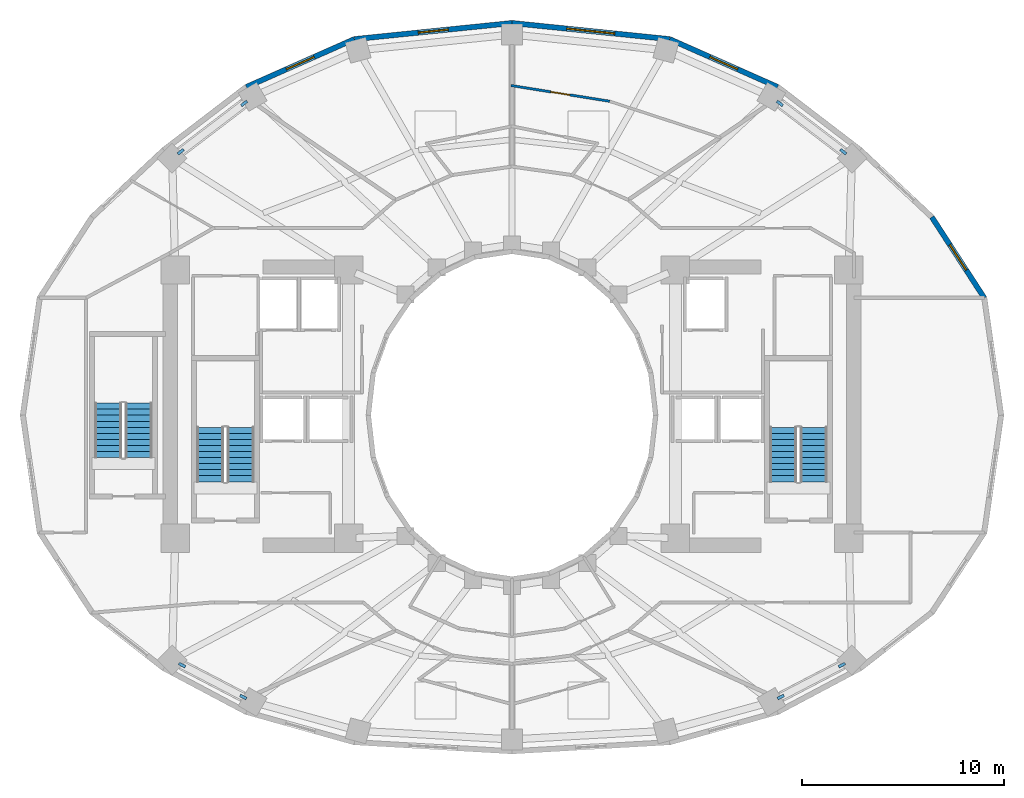
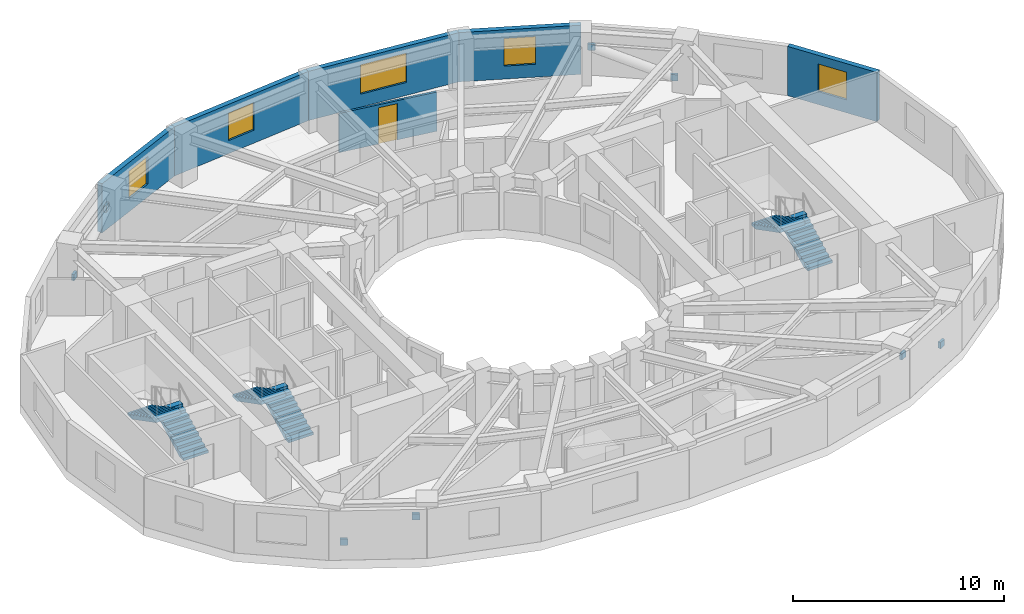
# One storey, part 7 of 9: 8 discrete accessories, 6 stair flights, 6 walls, 5 windows, 1 door, 6 openings, 3 elements without a shape of their own.
"""IFC4 building model written with IfcOpenShell, lengths in metres."""

from ifc_helpers import new_model, si_unit, direction, frame, frame_2d, origin, origin_2d, place, context, subcontext, project, spatial, polyline, rectangle, outline, extrude, material, layer, layer_set, type_object, element, fill, aggregate, save


model = new_model("IFC4")

# Units and contexts
model_context = context("Model", 3, precision=1e-05, world=origin(), true_north=direction((0.0, 1.0)))
body_context = subcontext(model_context, "Body", "Model", "MODEL_VIEW")
ifc_project = project(units=[si_unit("LENGTHUNIT", "METRE"), si_unit("AREAUNIT", "SQUARE_METRE"), si_unit("VOLUMEUNIT", "CUBIC_METRE"), si_unit("PLANEANGLEUNIT", "RADIAN"), si_unit("MASSUNIT", "GRAM", prefix="KILO")], contexts=[model_context])

# Site, building, storey
site_placement = place(None, origin())
site = spatial("IfcSite", under=ifc_project, at=site_placement, CompositionType="ELEMENT")
building_placement = place(site_placement, origin())
building = spatial("IfcBuilding", under=site, at=building_placement, Name="Solvane Sanctuary Tower", CompositionType="ELEMENT")
storey_placement = place(building_placement, frame((0.0, 0.0, 113.5)))
storey = spatial("IfcBuildingStorey", under=building, at=storey_placement, Name="L34", CompositionType="ELEMENT", Elevation=113.5)

# Wall, opening, window
ifc_material_1 = material(Name="Precast concrete C40/50", Category="concrete")
ifc_layer_1 = layer(ifc_material_1, 0.260009765625, Name="Precast concrete C40/50")
ifc_layer_set_1 = layer_set([ifc_layer_1], Name="Precast concrete C40/50")
wall_type_1 = type_object("IfcWallType", Name="Wall W-EXT-250", PredefinedType="STANDARD", material=ifc_layer_set_1)
wall_1_placement = place(storey_placement, frame((55.421875, 28.818603515625, 0.0), z_axis=(0.0, 0.0, 1.0), x_axis=(-0.544388392991, 0.838833283541, 0.0)))
wall_1 = element("IfcWall", 1, at=wall_1_placement, inside=storey, type_object=wall_type_1, Name="L34 Ceramic-Printed Facade Wall 01", PredefinedType="STANDARD", context=body_context, shape_type="SweptSolid", body=[
    extrude(rectangle(XDim=4.7783203125, YDim=0.260009765625, at=frame_2d((2.38916015625, 0.0))), origin(), (0.0, 0.0, 1.0), 2.85009765625),
])
opening_1_placement = place(wall_1_placement, frame((1.63916015625, 0.0, 0.75)))
opening_1 = element("IfcOpeningElement", 2, at=opening_1_placement, cuts=wall_1, Name="Opening WN-OPER-1500", PredefinedType="OPENING", context=body_context, shape_type="SweptSolid", body=[
    extrude(rectangle(XDim=1.5, YDim=1.60009765625, at=frame_2d((0.75, 0.800048828125))), frame((0.0, 0.139892578125, 0.0), z_axis=(0.0, -1.0, 0.0), x_axis=(1.0, 0.0, 0.0)), (0.0, 0.0, 1.0), 0.280029296875),
])
ifc_material_2 = material(Name="Dark Ceramic-Fritted Low-E Glass", Category="glass")
window_type_1 = type_object("IfcWindowType", Name="Window WN-OPER-1500", PartitioningType="SINGLE_PANEL", PredefinedType="WINDOW", material=ifc_material_2)
window_1_placement = place(opening_1_placement, origin())
window_1 = element("IfcWindow", 3, at=window_1_placement, inside=storey, type_object=window_type_1, Name="L34 Operable Facade Window 01", OverallHeight=1.60009765625, OverallWidth=1.5, PartitioningType="SINGLE_PANEL", PredefinedType="WINDOW", context=body_context, shape_type="SweptSolid", body=[
    extrude(rectangle(XDim=1.5, YDim=1.60009765625, at=frame_2d((0.75, 0.800048828125))), frame((0.0, 0.030029296875, 0.0), z_axis=(0.0, -1.0, 0.0), x_axis=(1.0, 0.0, 0.0)), (0.0, 0.0, 1.0), 0.06005859375),
])
fill(opening_1, window_1)

wall_2_placement = place(storey_placement, frame((45.17333984375, 39.278076171875, 0.0), z_axis=(0.0, 0.0, 1.0), x_axis=(-0.914336605747, 0.404955023911, 0.0)))
wall_2 = element("IfcWall", 4, at=wall_2_placement, inside=storey, type_object=wall_type_1, Name="L34 Ceramic-Printed Facade Wall 04", PredefinedType="STANDARD", context=body_context, shape_type="SweptSolid", body=[
    extrude(rectangle(XDim=5.85888671875, YDim=0.260009765625, at=frame_2d((2.929443359375, 0.0))), origin(), (0.0, 0.0, 1.0), 2.85009765625),
])
opening_2_placement = place(wall_2_placement, frame((2.179443359375, 0.0, 0.75)))
opening_2 = element("IfcOpeningElement", 5, at=opening_2_placement, cuts=wall_2, Name="Opening WN-OPER-1500", PredefinedType="OPENING", context=body_context, shape_type="SweptSolid", body=[
    extrude(rectangle(XDim=1.5, YDim=1.60009765625, at=frame_2d((0.75, 0.800048828125))), frame((0.0, 0.139892578125, 0.0), z_axis=(0.0, -1.0, 0.0), x_axis=(1.0, 0.0, 0.0)), (0.0, 0.0, 1.0), 0.280029296875),
])
window_2_placement = place(opening_2_placement, origin())
window_2 = element("IfcWindow", 6, at=window_2_placement, inside=storey, type_object=window_type_1, Name="L34 Operable Facade Window 04", OverallHeight=1.60009765625, OverallWidth=1.5, PartitioningType="SINGLE_PANEL", PredefinedType="WINDOW", context=body_context, shape_type="SweptSolid", body=[
    extrude(rectangle(XDim=1.5, YDim=1.60009765625, at=frame_2d((0.75, 0.800048828125))), frame((0.0, 0.030029296875, 0.0), z_axis=(0.0, -1.0, 0.0), x_axis=(1.0, 0.0, 0.0)), (0.0, 0.0, 1.0), 0.06005859375),
])
fill(opening_2, window_2)

wall_3_placement = place(storey_placement, frame((39.81640625, 41.650634765625, 0.0), z_axis=(0.0, 0.0, 1.0), x_axis=(-0.994821390558, 0.101638579726, 0.0)))
wall_3 = element("IfcWall", 7, at=wall_3_placement, inside=storey, type_object=wall_type_1, Name="L34 Ceramic-Printed Facade Wall 05", PredefinedType="STANDARD", context=body_context, shape_type="SweptSolid", body=[
    extrude(rectangle(XDim=7.857177734375, YDim=0.260009765625, at=frame_2d((3.9287109375, 0.0))), origin(), (0.0, 0.0, 1.0), 2.85009765625),
])
opening_3_placement = place(wall_3_placement, frame((2.728515625, 0.0, 0.75)))
opening_3 = element("IfcOpeningElement", 8, at=opening_3_placement, cuts=wall_3, Name="Opening WN-RIB-2400", PredefinedType="OPENING", context=body_context, shape_type="SweptSolid", body=[
    extrude(rectangle(XDim=2.39990234375, YDim=1.699951171875, at=frame_2d((1.199951171875, 0.85009765625))), frame((0.0, 0.139892578125, 0.0), z_axis=(0.0, -1.0, 0.0), x_axis=(1.0, 0.0, 0.0)), (0.0, 0.0, 1.0), 0.280029296875),
])
window_type_2 = type_object("IfcWindowType", Name="Window WN-RIB-2400", PartitioningType="SINGLE_PANEL", PredefinedType="WINDOW", material=ifc_material_2)
window_3_placement = place(opening_3_placement, origin())
window_3 = element("IfcWindow", 9, at=window_3_placement, inside=storey, type_object=window_type_2, Name="L34 Operable Facade Window 05", OverallHeight=1.699951171875, OverallWidth=2.39990234375, PartitioningType="SINGLE_PANEL", PredefinedType="WINDOW", context=body_context, shape_type="SweptSolid", body=[
    extrude(rectangle(XDim=2.39990234375, YDim=1.699951171875, at=frame_2d((1.199951171875, 0.85009765625))), frame((0.0, 0.030029296875, 0.0), z_axis=(0.0, -1.0, 0.0), x_axis=(1.0, 0.0, 0.0)), (0.0, 0.0, 1.0), 0.06005859375),
])
fill(opening_3, window_3)

wall_4_placement = place(storey_placement, frame((32.0, 42.44921875, 0.0), z_axis=(0.0, 0.0, 1.0), x_axis=(-0.994821390558, -0.101638579726, 0.0)))
wall_4 = element("IfcWall", 10, at=wall_4_placement, inside=storey, type_object=wall_type_1, Name="L34 Ceramic-Printed Facade Wall 06", PredefinedType="STANDARD", context=body_context, shape_type="SweptSolid", body=[
    extrude(rectangle(XDim=7.857177734375, YDim=0.260009765625, at=frame_2d((3.9287109375, 0.0))), origin(), (0.0, 0.0, 1.0), 2.85009765625),
])
opening_4_placement = place(wall_4_placement, frame((3.178466796875, 0.0, 0.75)))
opening_4 = element("IfcOpeningElement", 11, at=opening_4_placement, cuts=wall_4, Name="Opening WN-OPER-1500", PredefinedType="OPENING", context=body_context, shape_type="SweptSolid", body=[
    extrude(rectangle(XDim=1.5, YDim=1.60009765625, at=frame_2d((0.75, 0.800048828125))), frame((0.0, 0.139892578125, 0.0), z_axis=(0.0, -1.0, 0.0), x_axis=(1.0, 0.0, 0.0)), (0.0, 0.0, 1.0), 0.280029296875),
])
window_4_placement = place(opening_4_placement, origin())
window_4 = element("IfcWindow", 12, at=window_4_placement, inside=storey, type_object=window_type_1, Name="L34 Operable Facade Window 06", OverallHeight=1.60009765625, OverallWidth=1.5, PartitioningType="SINGLE_PANEL", PredefinedType="WINDOW", context=body_context, shape_type="SweptSolid", body=[
    extrude(rectangle(XDim=1.5, YDim=1.60009765625, at=frame_2d((0.75, 0.800048828125))), frame((0.0, 0.030029296875, 0.0), z_axis=(0.0, -1.0, 0.0), x_axis=(1.0, 0.0, 0.0)), (0.0, 0.0, 1.0), 0.06005859375),
])
fill(opening_4, window_4)

wall_5_placement = place(storey_placement, frame((24.18359375, 41.650634765625, 0.0), z_axis=(0.0, 0.0, 1.0), x_axis=(-0.914336605747, -0.404955023911, 0.0)))
wall_5 = element("IfcWall", 13, at=wall_5_placement, inside=storey, type_object=wall_type_1, Name="L34 Ceramic-Printed Facade Wall 07", PredefinedType="STANDARD", context=body_context, shape_type="SweptSolid", body=[
    extrude(rectangle(XDim=5.85888671875, YDim=0.260009765625, at=frame_2d((2.929443359375, 0.0))), origin(), (0.0, 0.0, 1.0), 2.85009765625),
])
opening_5_placement = place(wall_5_placement, frame((2.179443359375, 0.0, 0.75)))
opening_5 = element("IfcOpeningElement", 14, at=opening_5_placement, cuts=wall_5, Name="Opening WN-OPER-1500", PredefinedType="OPENING", context=body_context, shape_type="SweptSolid", body=[
    extrude(rectangle(XDim=1.5, YDim=1.60009765625, at=frame_2d((0.75, 0.800048828125))), frame((0.0, 0.139892578125, 0.0), z_axis=(0.0, -1.0, 0.0), x_axis=(1.0, 0.0, 0.0)), (0.0, 0.0, 1.0), 0.280029296875),
])
window_5_placement = place(opening_5_placement, origin())
window_5 = element("IfcWindow", 15, at=window_5_placement, inside=storey, type_object=window_type_1, Name="L34 Operable Facade Window 07", OverallHeight=1.60009765625, OverallWidth=1.5, PartitioningType="SINGLE_PANEL", PredefinedType="WINDOW", context=body_context, shape_type="SweptSolid", body=[
    extrude(rectangle(XDim=1.5, YDim=1.60009765625, at=frame_2d((0.75, 0.800048828125))), frame((0.0, 0.030029296875, 0.0), z_axis=(0.0, -1.0, 0.0), x_axis=(1.0, 0.0, 0.0)), (0.0, 0.0, 1.0), 0.06005859375),
])
fill(opening_5, window_5)

# Wall, opening, door
ifc_material_3 = material(Name="Acoustic Gypsum Partition Board")
ifc_layer_2 = layer(ifc_material_3, 0.1201171875, Name="Acoustic Gypsum Partition Board")
ifc_layer_set_2 = layer_set([ifc_layer_2], Name="Acoustic Gypsum Partition Board")
wall_type_2 = type_object("IfcWallType", Name="Wall W-MOV-100", PredefinedType="MOVABLE", material=ifc_layer_set_2)
wall_6_placement = place(storey_placement, frame((36.8447265625, 38.569580078125, 0.0), z_axis=(0.0, 0.0, 1.0), x_axis=(-0.987504798288, 0.157588937929, 0.0)))
wall_6 = element("IfcWall", 16, at=wall_6_placement, inside=storey, type_object=wall_type_2, Name="L34 Suite Sitting Lounge Partition N1", PredefinedType="MOVABLE", context=body_context, shape_type="SweptSolid", body=[
    extrude(rectangle(XDim=4.9560546875, YDim=0.1201171875, at=frame_2d((2.47802734375, 0.0))), origin(), (0.0, 0.0, 1.0), 2.27197265625),
])
opening_6_placement = place(wall_6_placement, frame((2.0029296875, 0.0, 0.0)))
opening_6 = element("IfcOpeningElement", 17, at=opening_6_placement, cuts=wall_6, Name="Opening D-L34-19", PredefinedType="OPENING", context=body_context, shape_type="SweptSolid", body=[
    extrude(rectangle(XDim=0.949951171875, YDim=2.10009765625, at=frame_2d((0.47509765625, 1.050048828125))), frame((0.0, 0.070068359375, 0.0), z_axis=(0.0, -1.0, 0.0), x_axis=(1.0, 0.0, 0.0)), (0.0, 0.0, 1.0), 0.14013671875),
])
ifc_material_4 = material(Name="Engineered Tropical Hardwood", Category="wood")
door_type = type_object("IfcDoorType", Name="Door D-ROOM-950", OperationType="NOTDEFINED", PredefinedType="DOOR", material=ifc_material_4)
door_placement = place(opening_6_placement, origin())
door = element("IfcDoor", 18, at=door_placement, inside=storey, type_object=door_type, Name="L34 Suite Sitting Lounge Door N1", OperationType="SINGLE_SWING_RIGHT", OverallHeight=2.10009765625, OverallWidth=0.949951171875, PredefinedType="DOOR", context=body_context, shape_type="SweptSolid", body=[
    extrude(rectangle(XDim=0.949951171875, YDim=2.10009765625, at=frame_2d((0.47509765625, 1.050048828125))), frame((0.0, 0.02490234375, 0.0), z_axis=(0.0, -1.0, 0.0), x_axis=(1.0, 0.0, 0.0)), (0.0, 0.0, 1.0), 0.050048828125),
])
fill(opening_6, door)

# Stair, stair flights
ifc_material_5 = material(Name="Concrete C45/55", Category="concrete")
stair_type = type_object("IfcStairType", Name="Stair ST-TOW", PredefinedType="HALF_TURN_STAIR", material=ifc_material_5)
stair_1_placement = place(storey_placement, origin())
stair_1 = element("IfcStair", 19, at=stair_1_placement, inside=storey, type_object=stair_type, Name="L34 Exit Stair ST-1 West Core", PredefinedType="HALF_TURN_STAIR")
stair_flight_type = type_object("IfcStairFlightType", Name="StairFlight SF-TOW", PredefinedType="STRAIGHT", material=ifc_material_5)
stair_flight_1_placement = place(storey_placement, frame((18.544921875, 19.699951171875, 0.0), z_axis=(0.0, 0.0, 1.0), x_axis=(0.0, 1.0, 0.0)))
stair_flight_1 = element("IfcStairFlight", 20, at=stair_flight_1_placement, type_object=stair_flight_type, Name="ST-1 flight 1", NumberOfRisers=10, NumberOfTreads=9, PredefinedType="STRAIGHT", RiserHeight=0.155, TreadLength=0.3, context=body_context, shape_type="SweptSolid", body=[
    extrude(outline(polyline([(0.0, 0.0), (0.0, 0.155029296875), (0.300048828125, 0.155029296875), (0.300048828125, 0.31005859375), (0.60009765625, 0.31005859375), (0.60009765625, 0.465087890625), (0.89990234375, 0.465087890625), (0.89990234375, 0.6201171875), (1.199951171875, 0.6201171875), (1.199951171875, 0.77490234375), (1.5, 0.77490234375), (1.5, 0.929931640625), (1.800048828125, 0.929931640625), (1.800048828125, 1.0849609375), (2.10009765625, 1.0849609375), (2.10009765625, 1.239990234375), (2.39990234375, 1.239990234375), (2.39990234375, 1.39501953125), (2.699951171875, 1.39501953125), (2.699951171875, 1.550048828125), (2.699951171875, 1.1923828125), (0.39208984375, 0.0), (0.0, 0.0)])), frame((0.0, 0.675048828125, 0.0), z_axis=(0.0, -1.0, 0.0), x_axis=(1.0, 0.0, 0.0)), (0.0, 0.0, 1.0), 1.35009765625),
])
stair_flight_2_placement = place(storey_placement, frame((17.034912109375, 22.39990234375, 1.550048828125), z_axis=(0.0, 0.0, 1.0), x_axis=(0.0, -1.0, 0.0)))
stair_flight_2 = element("IfcStairFlight", 21, at=stair_flight_2_placement, type_object=stair_flight_type, Name="ST-1 flight 2", NumberOfRisers=10, NumberOfTreads=9, PredefinedType="STRAIGHT", RiserHeight=0.155, TreadLength=0.3, context=body_context, shape_type="SweptSolid", body=[
    extrude(outline(polyline([(0.0, 0.0), (0.0, 0.155029296875), (0.300048828125, 0.155029296875), (0.300048828125, 0.31005859375), (0.60009765625, 0.31005859375), (0.60009765625, 0.465087890625), (0.89990234375, 0.465087890625), (0.89990234375, 0.6201171875), (1.199951171875, 0.6201171875), (1.199951171875, 0.77490234375), (1.5, 0.77490234375), (1.5, 0.929931640625), (1.800048828125, 0.929931640625), (1.800048828125, 1.0849609375), (2.10009765625, 1.0849609375), (2.10009765625, 1.239990234375), (2.39990234375, 1.239990234375), (2.39990234375, 1.39501953125), (2.699951171875, 1.39501953125), (2.699951171875, 1.550048828125), (2.699951171875, 1.1923828125), (0.39208984375, 0.0), (0.0, 0.0)])), frame((0.0, 0.675048828125, 0.0), z_axis=(0.0, -1.0, 0.0), x_axis=(1.0, 0.0, 0.0)), (0.0, 0.0, 1.0), 1.35009765625),
])
aggregate(stair_1, [stair_flight_1, stair_flight_2])

stair_2_placement = place(storey_placement, origin())
stair_2 = element("IfcStair", 22, at=stair_2_placement, inside=storey, type_object=stair_type, Name="L34 Exit Stair ST-2 East Core", PredefinedType="HALF_TURN_STAIR")
stair_flight_3_placement = place(storey_placement, frame((46.965087890625, 19.699951171875, 0.0), z_axis=(0.0, 0.0, 1.0), x_axis=(0.0, 1.0, 0.0)))
stair_flight_3 = element("IfcStairFlight", 23, at=stair_flight_3_placement, type_object=stair_flight_type, Name="ST-2 flight 1", NumberOfRisers=10, NumberOfTreads=9, PredefinedType="STRAIGHT", RiserHeight=0.155, TreadLength=0.3, context=body_context, shape_type="SweptSolid", body=[
    extrude(outline(polyline([(0.0, 0.0), (0.0, 0.155029296875), (0.300048828125, 0.155029296875), (0.300048828125, 0.31005859375), (0.60009765625, 0.31005859375), (0.60009765625, 0.465087890625), (0.89990234375, 0.465087890625), (0.89990234375, 0.6201171875), (1.199951171875, 0.6201171875), (1.199951171875, 0.77490234375), (1.5, 0.77490234375), (1.5, 0.929931640625), (1.800048828125, 0.929931640625), (1.800048828125, 1.0849609375), (2.10009765625, 1.0849609375), (2.10009765625, 1.239990234375), (2.39990234375, 1.239990234375), (2.39990234375, 1.39501953125), (2.699951171875, 1.39501953125), (2.699951171875, 1.550048828125), (2.699951171875, 1.1923828125), (0.39208984375, 0.0), (0.0, 0.0)])), frame((0.0, 0.675048828125, 0.0), z_axis=(0.0, -1.0, 0.0), x_axis=(1.0, 0.0, 0.0)), (0.0, 0.0, 1.0), 1.35009765625),
])
stair_flight_4_placement = place(storey_placement, frame((45.455078125, 22.39990234375, 1.550048828125), z_axis=(0.0, 0.0, 1.0), x_axis=(0.0, -1.0, 0.0)))
stair_flight_4 = element("IfcStairFlight", 24, at=stair_flight_4_placement, type_object=stair_flight_type, Name="ST-2 flight 2", NumberOfRisers=10, NumberOfTreads=9, PredefinedType="STRAIGHT", RiserHeight=0.155, TreadLength=0.3, context=body_context, shape_type="SweptSolid", body=[
    extrude(outline(polyline([(0.0, 0.0), (0.0, 0.155029296875), (0.300048828125, 0.155029296875), (0.300048828125, 0.31005859375), (0.60009765625, 0.31005859375), (0.60009765625, 0.465087890625), (0.89990234375, 0.465087890625), (0.89990234375, 0.6201171875), (1.199951171875, 0.6201171875), (1.199951171875, 0.77490234375), (1.5, 0.77490234375), (1.5, 0.929931640625), (1.800048828125, 0.929931640625), (1.800048828125, 1.0849609375), (2.10009765625, 1.0849609375), (2.10009765625, 1.239990234375), (2.39990234375, 1.239990234375), (2.39990234375, 1.39501953125), (2.699951171875, 1.39501953125), (2.699951171875, 1.550048828125), (2.699951171875, 1.1923828125), (0.39208984375, 0.0), (0.0, 0.0)])), frame((0.0, 0.675048828125, 0.0), z_axis=(0.0, -1.0, 0.0), x_axis=(1.0, 0.0, 0.0)), (0.0, 0.0, 1.0), 1.35009765625),
])
aggregate(stair_2, [stair_flight_3, stair_flight_4])

stair_3_placement = place(storey_placement, origin())
stair_3 = element("IfcStair", 25, at=stair_3_placement, inside=storey, type_object=stair_type, Name="L34 Exit Stair ST-3 Pilgrim Tower Stair", PredefinedType="HALF_TURN_STAIR")
stair_flight_5_placement = place(storey_placement, frame((13.485107421875, 20.89990234375, 0.0), z_axis=(0.0, 0.0, 1.0), x_axis=(0.0, 1.0, 0.0)))
stair_flight_5 = element("IfcStairFlight", 26, at=stair_flight_5_placement, type_object=stair_flight_type, Name="ST-3 flight 1", NumberOfRisers=10, NumberOfTreads=9, PredefinedType="STRAIGHT", RiserHeight=0.155, TreadLength=0.3, context=body_context, shape_type="SweptSolid", body=[
    extrude(outline(polyline([(0.0, 0.0), (0.0, 0.155029296875), (0.300048828125, 0.155029296875), (0.300048828125, 0.31005859375), (0.60009765625, 0.31005859375), (0.60009765625, 0.465087890625), (0.89990234375, 0.465087890625), (0.89990234375, 0.6201171875), (1.199951171875, 0.6201171875), (1.199951171875, 0.77490234375), (1.5, 0.77490234375), (1.5, 0.929931640625), (1.800048828125, 0.929931640625), (1.800048828125, 1.0849609375), (2.10009765625, 1.0849609375), (2.10009765625, 1.239990234375), (2.39990234375, 1.239990234375), (2.39990234375, 1.39501953125), (2.699951171875, 1.39501953125), (2.699951171875, 1.550048828125), (2.699951171875, 1.1923828125), (0.39208984375, 0.0), (0.0, 0.0)])), frame((0.0, 0.675048828125, 0.0), z_axis=(0.0, -1.0, 0.0), x_axis=(1.0, 0.0, 0.0)), (0.0, 0.0, 1.0), 1.35009765625),
])
stair_flight_6_placement = place(storey_placement, frame((11.97509765625, 23.60009765625, 1.550048828125), z_axis=(0.0, 0.0, 1.0), x_axis=(0.0, -1.0, 0.0)))
stair_flight_6 = element("IfcStairFlight", 27, at=stair_flight_6_placement, type_object=stair_flight_type, Name="ST-3 flight 2", NumberOfRisers=10, NumberOfTreads=9, PredefinedType="STRAIGHT", RiserHeight=0.155, TreadLength=0.3, context=body_context, shape_type="SweptSolid", body=[
    extrude(outline(polyline([(0.0, 0.0), (0.0, 0.155029296875), (0.300048828125, 0.155029296875), (0.300048828125, 0.31005859375), (0.60009765625, 0.31005859375), (0.60009765625, 0.465087890625), (0.89990234375, 0.465087890625), (0.89990234375, 0.6201171875), (1.199951171875, 0.6201171875), (1.199951171875, 0.77490234375), (1.5, 0.77490234375), (1.5, 0.929931640625), (1.800048828125, 0.929931640625), (1.800048828125, 1.0849609375), (2.10009765625, 1.0849609375), (2.10009765625, 1.239990234375), (2.39990234375, 1.239990234375), (2.39990234375, 1.39501953125), (2.699951171875, 1.39501953125), (2.699951171875, 1.550048828125), (2.699951171875, 1.1923828125), (0.39208984375, 0.0), (0.0, 0.0)])), frame((0.0, 0.675048828125, 0.0), z_axis=(0.0, -1.0, 0.0), x_axis=(1.0, 0.0, 0.0)), (0.0, 0.0, 1.0), 1.35009765625),
])
aggregate(stair_3, [stair_flight_5, stair_flight_6])

# Discrete accessories
ifc_material_6 = material(Name="Steel ASTM A572 Grade 50", Category="steel")
ifc_layer_3 = layer(ifc_material_6, 0.360107421875, Name="Steel ASTM A572 Grade 50")
ifc_layer_set_3 = layer_set([ifc_layer_3], Name="Steel ASTM A572 Grade 50")
discrete_accessory_type = type_object("IfcDiscreteAccessoryType", Name="Accessory ACC-GUSSET-BRK", PredefinedType="BRACKET", material=ifc_layer_set_3)
for number, where, z_axis, x_axis, name in (
    (28, (48.427734375, 36.066650390625, 0.390625), (0.0, 0.0, 1.0), (-0.795473480855, 0.605988400266, 0.0), "L34 Perimeter Braced-Tube Diagonal NE End Gusset Bracket A"),
    (29, (45.283203125, 38.462646484375, 1.80126953125), (0.0, 0.0, 1.0), (-0.795473480855, 0.605988400266, 0.0), "L34 Perimeter Braced-Tube Diagonal NE End Gusset Bracket B"),
    (30, (15.572265625, 36.066650390625, 0.390625), (0.0, 0.0, 1.0), (0.795473480855, 0.605988400266, 0.0), "L34 Perimeter Braced-Tube Diagonal NW End Gusset Bracket A"),
    (31, (18.716796875, 38.462646484375, 1.80126953125), (0.0, 0.0, 1.0), (0.795473480855, 0.605988400266, 0.0), "L34 Perimeter Braced-Tube Diagonal NW End Gusset Bracket B"),
    (32, (15.639404296875, 10.60546875, 0.4208984375), (0.0, 0.0, 1.0), (0.887010833178, -0.461748613235, 0.0), "L34 Perimeter Braced-Tube Diagonal SW End Gusset Bracket A"),
    (33, (18.67138671875, 9.02734375, 1.78076171875), (0.0, 0.0, 1.0), (0.887010833178, -0.461748613235, 0.0), "L34 Perimeter Braced-Tube Diagonal SW End Gusset Bracket B"),
    (34, (48.360595703125, 10.60546875, 0.4208984375), (0.0, 0.0, 1.0), (-0.887010833178, -0.461748613235, 0.0), "L34 Perimeter Braced-Tube Diagonal SE End Gusset Bracket A"),
    (35, (45.32861328125, 9.02734375, 1.78076171875), (0.0, 0.0, 1.0), (-0.887010833178, -0.461748613235, 0.0), "L34 Perimeter Braced-Tube Diagonal SE End Gusset Bracket B"),
):
    element("IfcDiscreteAccessory", number, at=place(storey_placement, frame(where, z_axis=z_axis, x_axis=x_axis)), inside=storey, type_object=discrete_accessory_type, Name=name, PredefinedType="BRACKET", context=body_context, shape_type="SweptSolid", body=[
        extrude(rectangle(XDim=0.360107421875, YDim=0.139892578125, at=origin_2d()), origin(), (0.0, 0.0, 1.0), 0.360107421875),
    ])

save(model, "model.ifc")
